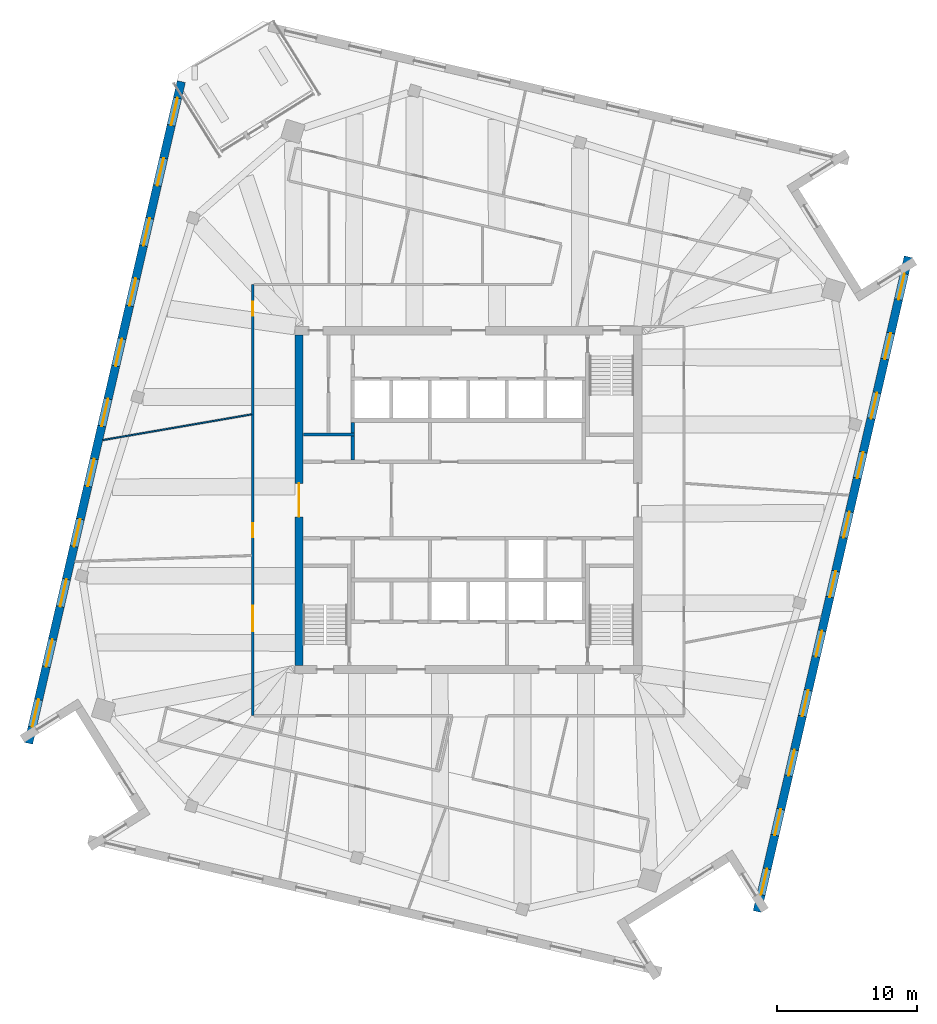
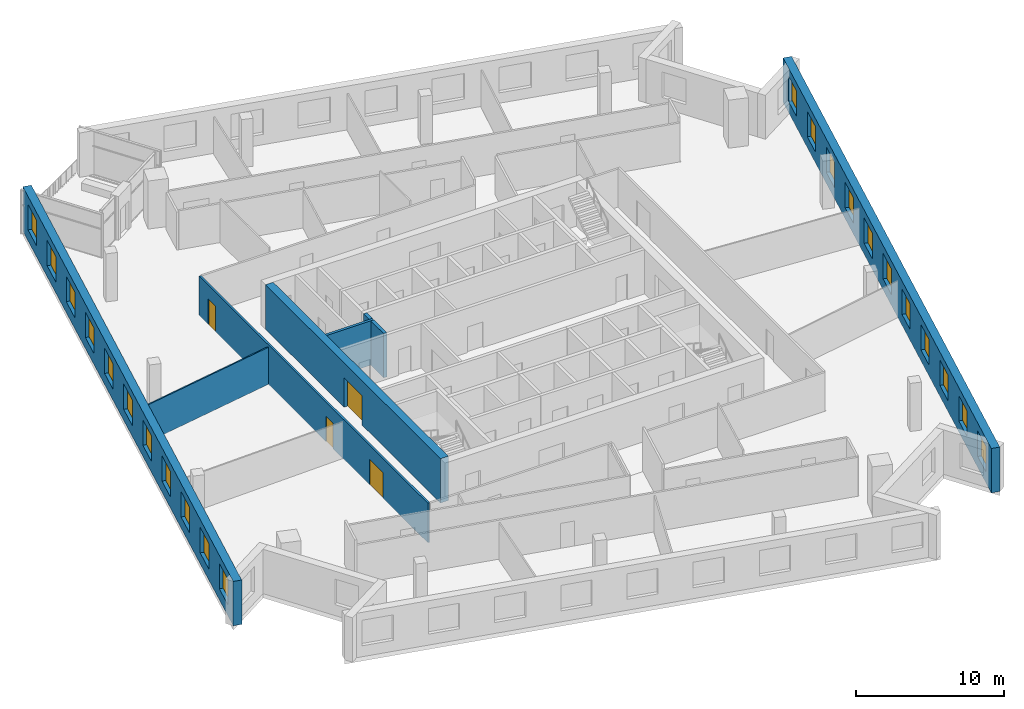
# One storey, part 8 of 14: 22 windows, 8 walls, 4 doors, 26 openings.
"""IFC4 building model written with IfcOpenShell, lengths in metres."""

from ifc_helpers import new_model, si_unit, direction, frame, frame_2d, origin, place, context, subcontext, project, spatial, rectangle, extrude, material, layer, layer_set, type_object, element, fill, save


model = new_model("IFC4")

# Units and contexts
model_context = context("Model", 3, precision=1e-05, world=origin(), true_north=direction((0.0, 1.0)))
body_context = subcontext(model_context, "Body", "Model", "MODEL_VIEW")
ifc_project = project(units=[si_unit("LENGTHUNIT", "METRE"), si_unit("AREAUNIT", "SQUARE_METRE"), si_unit("VOLUMEUNIT", "CUBIC_METRE"), si_unit("PLANEANGLEUNIT", "RADIAN"), si_unit("MASSUNIT", "GRAM", prefix="KILO")], contexts=[model_context])

# Site, building, storey
site_placement = place(None, origin())
site = spatial("IfcSite", under=ifc_project, at=site_placement, CompositionType="ELEMENT")
building_placement = place(site_placement, origin())
building = spatial("IfcBuilding", under=site, at=building_placement, Name="Dilmun Exchange Tower", CompositionType="ELEMENT")
storey_placement = place(building_placement, frame((0.0, 0.0, 336.5)))
storey = spatial("IfcBuildingStorey", under=building, at=storey_placement, Name="L80", CompositionType="ELEMENT", Elevation=336.5)

# Walls
ifc_material_1 = material(Name="Concrete C40/50", Category="concrete")
ifc_layer_1 = layer(ifc_material_1, 0.199951171875)
ifc_layer_set_1 = layer_set([ifc_layer_1], Name="Concrete C40/50")
wall_type_1 = type_object("IfcWallType", Name="Core partition wall 200", PredefinedType="PARTITIONING", material=ifc_layer_set_1)
wall_1_placement = place(storey_placement, frame((-11.794921875, 4.675048828125, 0.0), z_axis=(0.0, 0.0, 1.0), x_axis=(1.0, 0.0, 0.0)))
element("IfcWall", 1, at=wall_1_placement, inside=storey, type_object=wall_type_1, Name="L80 core partition wall 16", PredefinedType="PARTITIONING", context=body_context, shape_type="SweptSolid", body=[
    extrude(rectangle(XDim=3.64501953125, YDim=0.199951171875, at=frame_2d((1.822509765625, 0.0))), origin(), (0.0, 0.0, 1.0), 3.64990234375),
])
ifc_layer_2 = layer(ifc_material_1, 0.25)
ifc_layer_set_2 = layer_set([ifc_layer_2], Name="Concrete C40/50")
wall_type_2 = type_object("IfcWallType", Name="Core partition wall 250", PredefinedType="PARTITIONING", material=ifc_layer_set_2)
wall_2_placement = place(storey_placement, frame((-8.25, 2.85498046875, 0.0), z_axis=(0.0, 0.0, 1.0), x_axis=(0.0, 1.0, 0.0)))
element("IfcWall", 2, at=wall_2_placement, inside=storey, type_object=wall_type_2, Name="L80 core partition wall 13", PredefinedType="PARTITIONING", context=body_context, shape_type="SweptSolid", body=[
    extrude(rectangle(XDim=1.715087890625, YDim=0.25, at=frame_2d((0.857421875, 0.0))), origin(), (0.0, 0.0, 1.0), 3.64990234375),
])
wall_3_placement = place(storey_placement, frame((-8.25, 4.780029296875, 0.0), z_axis=(0.0, 0.0, 1.0), x_axis=(0.0, 1.0, 0.0)))
element("IfcWall", 3, at=wall_3_placement, inside=storey, type_object=wall_type_2, Name="L80 core partition wall 18", PredefinedType="PARTITIONING", context=body_context, shape_type="SweptSolid", body=[
    extrude(rectangle(XDim=0.764892578125, YDim=0.25, at=frame_2d((0.38232421875, 0.0))), origin(), (0.0, 0.0, 1.0), 3.64990234375),
])

# Wall, opening, door
ifc_material_2 = material(Name="Concrete C50/60", Category="concrete")
ifc_layer_3 = layer(ifc_material_2, 0.60009765625)
ifc_layer_set_3 = layer_set([ifc_layer_3], Name="Concrete C50/60")
wall_type_3 = type_object("IfcWallType", Name="Core shear wall 600 Concrete C50/60", PredefinedType="SHEAR", material=ifc_layer_set_3)
wall_4_placement = place(storey_placement, frame((-12.10009765625, -11.800048828125, 0.0), z_axis=(0.0, 0.0, 1.0), x_axis=(0.0, 1.0, 0.0)))
wall_4 = element("IfcWall", 4, at=wall_4_placement, inside=storey, type_object=wall_type_3, Name="L80 core shear wall W", PredefinedType="SHEAR", context=body_context, shape_type="SweptSolid", body=[
    extrude(rectangle(XDim=23.60009765625, YDim=0.60009765625, at=frame_2d((11.800048828125, 0.0))), origin(), (0.0, 0.0, 1.0), 3.64990234375),
])
opening_1_placement = place(wall_4_placement, frame((10.60009765625, 0.0, 0.0)))
opening_1 = element("IfcOpeningElement", 5, at=opening_1_placement, cuts=wall_4, Name="Opening CD1", PredefinedType="OPENING", context=body_context, shape_type="SweptSolid", body=[
    extrude(rectangle(XDim=2.39990234375, YDim=2.39990234375, at=frame_2d((1.199951171875, 1.199951171875))), frame((0.0, 0.31005859375, 0.0), z_axis=(0.0, -1.0, 0.0), x_axis=(1.0, 0.0, 0.0)), (0.0, 0.0, 1.0), 0.6201171875),
])
ifc_material_3 = material(Name="Fire-rated steel door set", Category="steel")
door_type_1 = type_object("IfcDoorType", Name="Core lobby door 2400x2400", OperationType="DOUBLE_DOOR_DOUBLE_SWING", PredefinedType="DOOR", material=ifc_material_3)
door_1_placement = place(opening_1_placement, origin())
door_1 = element("IfcDoor", 6, at=door_1_placement, inside=storey, type_object=door_type_1, Name="L80 door Central lift lobby", OperationType="SINGLE_SWING_LEFT", OverallHeight=2.39990234375, OverallWidth=2.39990234375, PredefinedType="DOOR", context=body_context, shape_type="SweptSolid", body=[
    extrude(rectangle(XDim=2.39990234375, YDim=2.39990234375, at=frame_2d((1.199951171875, 1.199951171875))), frame((0.0, 0.02490234375, 0.0), z_axis=(0.0, -1.0, 0.0), x_axis=(1.0, 0.0, 0.0)), (0.0, 0.0, 1.0), 0.050048828125),
])
fill(opening_1, door_1)

# Wall, openings, doors
ifc_material_4 = material(Name="Corridor wall 150")
ifc_layer_4 = layer(ifc_material_4, 0.14990234375)
ifc_layer_set_4 = layer_set([ifc_layer_4], Name="Corridor wall 150")
wall_type_4 = type_object("IfcWallType", Name="Corridor wall 150", PredefinedType="PARTITIONING", material=ifc_layer_set_4)
wall_5_placement = place(storey_placement, frame((-15.39990234375, -15.39990234375, 0.0), z_axis=(0.0, 0.0, 1.0), x_axis=(0.0, 1.0, 0.0)))
wall_5 = element("IfcWall", 7, at=wall_5_placement, inside=storey, type_object=wall_type_4, Name="Corridor wall", PredefinedType="PARTITIONING", context=body_context, shape_type="SweptSolid", body=[
    extrude(rectangle(XDim=30.7998046875, YDim=0.14990234375, at=frame_2d((15.39990234375, 0.0))), origin(), (0.0, 0.0, 1.0), 3.25),
])
opening_2_placement = place(wall_5_placement, frame((12.74072265625, 0.0, 0.0)))
opening_2 = element("IfcOpeningElement", 8, at=opening_2_placement, cuts=wall_5, Name="Opening TF79-D01", PredefinedType="OPENING", context=body_context, shape_type="SweptSolid", body=[
    extrude(rectangle(XDim=1.0, YDim=2.10009765625, at=frame_2d((0.5, 1.050048828125))), frame((0.0, 0.0849609375, 0.0), z_axis=(0.0, -1.0, 0.0), x_axis=(1.0, 0.0, 0.0)), (0.0, 0.0, 1.0), 0.169921875),
])
opening_3_placement = place(wall_5_placement, frame((6.050048828125, 0.0, 0.0)))
opening_3 = element("IfcOpeningElement", 9, at=opening_3_placement, cuts=wall_5, Name="Opening TF79-D02", PredefinedType="OPENING", context=body_context, shape_type="SweptSolid", body=[
    extrude(rectangle(XDim=1.800048828125, YDim=2.10009765625, at=frame_2d((0.89990234375, 1.050048828125))), frame((0.0, 0.0849609375, 0.0), z_axis=(0.0, -1.0, 0.0), x_axis=(1.0, 0.0, 0.0)), (0.0, 0.0, 1.0), 0.169921875),
])
opening_4_placement = place(wall_5_placement, frame((28.576904296875, 0.0, 0.0)))
opening_4 = element("IfcOpeningElement", 10, at=opening_4_placement, cuts=wall_5, Name="Opening TF79-D05", PredefinedType="OPENING", context=body_context, shape_type="SweptSolid", body=[
    extrude(rectangle(XDim=1.0, YDim=2.10009765625, at=frame_2d((0.5, 1.050048828125))), frame((0.0, 0.0849609375, 0.0), z_axis=(0.0, -1.0, 0.0), x_axis=(1.0, 0.0, 0.0)), (0.0, 0.0, 1.0), 0.169921875),
])
ifc_material_5 = material(Name="Fire door 1000 x 2100")
door_type_2 = type_object("IfcDoorType", Name="Fire door 1000 x 2100", OperationType="NOTDEFINED", PredefinedType="DOOR", material=ifc_material_5)
door_2_placement = place(opening_2_placement, origin())
door_2 = element("IfcDoor", 11, at=door_2_placement, inside=storey, type_object=door_type_2, Name="Door TF79-D01", OperationType="SINGLE_SWING_LEFT", OverallHeight=2.10009765625, OverallWidth=1.0, PredefinedType="DOOR", context=body_context, shape_type="SweptSolid", body=[
    extrude(rectangle(XDim=1.0, YDim=2.10009765625, at=frame_2d((0.5, 1.050048828125))), frame((0.0, 0.02490234375, 0.0), z_axis=(0.0, -1.0, 0.0), x_axis=(1.0, 0.0, 0.0)), (0.0, 0.0, 1.0), 0.050048828125),
])
fill(opening_2, door_2)
door_3_placement = place(opening_4_placement, origin())
door_3 = element("IfcDoor", 12, at=door_3_placement, inside=storey, type_object=door_type_2, Name="Door TF79-D05", OperationType="SINGLE_SWING_RIGHT", OverallHeight=2.10009765625, OverallWidth=1.0, PredefinedType="DOOR", context=body_context, shape_type="SweptSolid", body=[
    extrude(rectangle(XDim=1.0, YDim=2.10009765625, at=frame_2d((0.5, 1.050048828125))), frame((0.0, 0.02490234375, 0.0), z_axis=(0.0, -1.0, 0.0), x_axis=(1.0, 0.0, 0.0)), (0.0, 0.0, 1.0), 0.050048828125),
])
fill(opening_4, door_3)
ifc_material_6 = material(Name="Fire door pair 1800 x 2100")
door_type_3 = type_object("IfcDoorType", Name="Fire door pair 1800 x 2100", OperationType="NOTDEFINED", PredefinedType="DOOR", material=ifc_material_6)
door_4_placement = place(opening_3_placement, origin())
door_4 = element("IfcDoor", 13, at=door_4_placement, inside=storey, type_object=door_type_3, Name="Door TF79-D02", OperationType="DOUBLE_DOOR_SINGLE_SWING", OverallHeight=2.10009765625, OverallWidth=1.800048828125, PredefinedType="DOOR", context=body_context, shape_type="SweptSolid", body=[
    extrude(rectangle(XDim=1.800048828125, YDim=2.10009765625, at=frame_2d((0.89990234375, 1.050048828125))), frame((0.0, 0.02490234375, 0.0), z_axis=(0.0, -1.0, 0.0), x_axis=(1.0, 0.0, 0.0)), (0.0, 0.0, 1.0), 0.050048828125),
])
fill(opening_3, door_4)

# Wall
ifc_material_7 = material(Name="Partition 100")
ifc_layer_5 = layer(ifc_material_7, 0.10009765625)
ifc_layer_set_5 = layer_set([ifc_layer_5], Name="Partition 100")
wall_type_5 = type_object("IfcWallType", Name="Partition 100", PredefinedType="PARTITIONING", material=ifc_layer_set_5)
wall_6_placement = place(storey_placement, frame((-26.103271484375, 4.2841796875, 0.0), z_axis=(0.0, 0.0, 1.0), x_axis=(0.985391107222, 0.170306681627, 0.0)))
element("IfcWall", 14, at=wall_6_placement, inside=storey, type_object=wall_type_5, Name="Partition", PredefinedType="PARTITIONING", context=body_context, shape_type="SweptSolid", body=[
    extrude(rectangle(XDim=10.77734375, YDim=0.10009765625, at=frame_2d((5.388671875, 0.0))), origin(), (0.0, 0.0, 1.0), 3.050048828125),
])

# Wall, openings, windows
ifc_material_8 = material(Name="Precast concrete C50/60", Category="concrete")
ifc_layer_6 = layer(ifc_material_8, 0.60009765625)
ifc_layer_set_6 = layer_set([ifc_layer_6], Name="Precast concrete C50/60")
wall_type_6 = type_object("IfcWallType", Name="Precast stone-clad wall 600", PredefinedType="STANDARD", material=ifc_layer_set_6)
wall_7_placement = place(storey_placement, frame((-20.50439453125, 29.87841796875, 0.0), z_axis=(0.0, 0.0, 1.0), x_axis=(-0.224949596638, -0.974370401322, 0.0)))
wall_7 = element("IfcWall", 15, at=wall_7_placement, inside=storey, type_object=wall_type_6, Name="Facade wall L80-03", PredefinedType="STANDARD", context=body_context, shape_type="SweptSolid", body=[
    extrude(rectangle(XDim=48.489501953125, YDim=0.60009765625, at=frame_2d((24.24462890625, 0.0))), origin(), (0.0, 0.0, 1.0), 3.64990234375),
])
opening_5_placement = place(wall_7_placement, frame((1.2041015625, 0.0, 0.89990234375)))
opening_5 = element("IfcOpeningElement", 16, at=opening_5_placement, cuts=wall_7, Name="Opening W200-210", PredefinedType="OPENING", context=body_context, shape_type="SweptSolid", body=[
    extrude(rectangle(XDim=2.0, YDim=2.10009765625, at=frame_2d((1.0, 1.050048828125))), frame((0.0, 0.31005859375, 0.0), z_axis=(0.0, -1.0, 0.0), x_axis=(1.0, 0.0, 0.0)), (0.0, 0.0, 1.0), 0.6201171875),
])
opening_6_placement = place(wall_7_placement, frame((5.6123046875, 0.0, 0.89990234375)))
opening_6 = element("IfcOpeningElement", 17, at=opening_6_placement, cuts=wall_7, Name="Opening W200-210", PredefinedType="OPENING", context=body_context, shape_type="SweptSolid", body=[
    extrude(rectangle(XDim=2.0, YDim=2.10009765625, at=frame_2d((1.0, 1.050048828125))), frame((0.0, 0.31005859375, 0.0), z_axis=(0.0, -1.0, 0.0), x_axis=(1.0, 0.0, 0.0)), (0.0, 0.0, 1.0), 0.6201171875),
])
opening_7_placement = place(wall_7_placement, frame((10.0205078125, 0.0, 0.89990234375)))
opening_7 = element("IfcOpeningElement", 18, at=opening_7_placement, cuts=wall_7, Name="Opening W200-210", PredefinedType="OPENING", context=body_context, shape_type="SweptSolid", body=[
    extrude(rectangle(XDim=2.0, YDim=2.10009765625, at=frame_2d((1.0, 1.050048828125))), frame((0.0, 0.31005859375, 0.0), z_axis=(0.0, -1.0, 0.0), x_axis=(1.0, 0.0, 0.0)), (0.0, 0.0, 1.0), 0.6201171875),
])
opening_8_placement = place(wall_7_placement, frame((14.428466796875, 0.0, 0.89990234375)))
opening_8 = element("IfcOpeningElement", 19, at=opening_8_placement, cuts=wall_7, Name="Opening W200-210", PredefinedType="OPENING", context=body_context, shape_type="SweptSolid", body=[
    extrude(rectangle(XDim=2.0, YDim=2.10009765625, at=frame_2d((1.0, 1.050048828125))), frame((0.0, 0.31005859375, 0.0), z_axis=(0.0, -1.0, 0.0), x_axis=(1.0, 0.0, 0.0)), (0.0, 0.0, 1.0), 0.6201171875),
])
opening_9_placement = place(wall_7_placement, frame((18.836669921875, 0.0, 0.89990234375)))
opening_9 = element("IfcOpeningElement", 20, at=opening_9_placement, cuts=wall_7, Name="Opening W200-210", PredefinedType="OPENING", context=body_context, shape_type="SweptSolid", body=[
    extrude(rectangle(XDim=2.0, YDim=2.10009765625, at=frame_2d((1.0, 1.050048828125))), frame((0.0, 0.31005859375, 0.0), z_axis=(0.0, -1.0, 0.0), x_axis=(1.0, 0.0, 0.0)), (0.0, 0.0, 1.0), 0.6201171875),
])
opening_10_placement = place(wall_7_placement, frame((23.244873046875, 0.0, 0.89990234375)))
opening_10 = element("IfcOpeningElement", 21, at=opening_10_placement, cuts=wall_7, Name="Opening W200-210", PredefinedType="OPENING", context=body_context, shape_type="SweptSolid", body=[
    extrude(rectangle(XDim=2.0, YDim=2.10009765625, at=frame_2d((1.0, 1.050048828125))), frame((0.0, 0.31005859375, 0.0), z_axis=(0.0, -1.0, 0.0), x_axis=(1.0, 0.0, 0.0)), (0.0, 0.0, 1.0), 0.6201171875),
])
opening_11_placement = place(wall_7_placement, frame((27.65283203125, 0.0, 0.89990234375)))
opening_11 = element("IfcOpeningElement", 22, at=opening_11_placement, cuts=wall_7, Name="Opening W200-210", PredefinedType="OPENING", context=body_context, shape_type="SweptSolid", body=[
    extrude(rectangle(XDim=2.0, YDim=2.10009765625, at=frame_2d((1.0, 1.050048828125))), frame((0.0, 0.31005859375, 0.0), z_axis=(0.0, -1.0, 0.0), x_axis=(1.0, 0.0, 0.0)), (0.0, 0.0, 1.0), 0.6201171875),
])
opening_12_placement = place(wall_7_placement, frame((32.06103515625, 0.0, 0.89990234375)))
opening_12 = element("IfcOpeningElement", 23, at=opening_12_placement, cuts=wall_7, Name="Opening W200-210", PredefinedType="OPENING", context=body_context, shape_type="SweptSolid", body=[
    extrude(rectangle(XDim=2.0, YDim=2.10009765625, at=frame_2d((1.0, 1.050048828125))), frame((0.0, 0.31005859375, 0.0), z_axis=(0.0, -1.0, 0.0), x_axis=(1.0, 0.0, 0.0)), (0.0, 0.0, 1.0), 0.6201171875),
])
opening_13_placement = place(wall_7_placement, frame((36.46923828125, 0.0, 0.89990234375)))
opening_13 = element("IfcOpeningElement", 24, at=opening_13_placement, cuts=wall_7, Name="Opening W200-210", PredefinedType="OPENING", context=body_context, shape_type="SweptSolid", body=[
    extrude(rectangle(XDim=2.0, YDim=2.10009765625, at=frame_2d((1.0, 1.050048828125))), frame((0.0, 0.31005859375, 0.0), z_axis=(0.0, -1.0, 0.0), x_axis=(1.0, 0.0, 0.0)), (0.0, 0.0, 1.0), 0.6201171875),
])
opening_14_placement = place(wall_7_placement, frame((40.87744140625, 0.0, 0.89990234375)))
opening_14 = element("IfcOpeningElement", 25, at=opening_14_placement, cuts=wall_7, Name="Opening W200-210", PredefinedType="OPENING", context=body_context, shape_type="SweptSolid", body=[
    extrude(rectangle(XDim=2.0, YDim=2.10009765625, at=frame_2d((1.0, 1.050048828125))), frame((0.0, 0.31005859375, 0.0), z_axis=(0.0, -1.0, 0.0), x_axis=(1.0, 0.0, 0.0)), (0.0, 0.0, 1.0), 0.6201171875),
])
opening_15_placement = place(wall_7_placement, frame((45.285400390625, 0.0, 0.89990234375)))
opening_15 = element("IfcOpeningElement", 26, at=opening_15_placement, cuts=wall_7, Name="Opening W200-210", PredefinedType="OPENING", context=body_context, shape_type="SweptSolid", body=[
    extrude(rectangle(XDim=2.0, YDim=2.10009765625, at=frame_2d((1.0, 1.050048828125))), frame((0.0, 0.31005859375, 0.0), z_axis=(0.0, -1.0, 0.0), x_axis=(1.0, 0.0, 0.0)), (0.0, 0.0, 1.0), 0.6201171875),
])
ifc_material_9 = material(Name="Clear low-emissivity glass in aluminium frame", Category="aluminium")
window_type_1 = type_object("IfcWindowType", Name="Punched window 2000 x 2100", PartitioningType="DOUBLE_PANEL_VERTICAL", PredefinedType="WINDOW", material=ifc_material_9)
window_1_placement = place(opening_5_placement, origin())
window_1 = element("IfcWindow", 27, at=window_1_placement, inside=storey, type_object=window_type_1, Name="Window 4.1", OverallHeight=2.10009765625, OverallWidth=2.0, PartitioningType="SINGLE_PANEL", PredefinedType="WINDOW", context=body_context, shape_type="SweptSolid", body=[
    extrude(rectangle(XDim=2.0, YDim=2.10009765625, at=frame_2d((1.0, 1.050048828125))), frame((0.0, 0.030029296875, 0.0), z_axis=(0.0, -1.0, 0.0), x_axis=(1.0, 0.0, 0.0)), (0.0, 0.0, 1.0), 0.06005859375),
])
fill(opening_5, window_1)
window_2_placement = place(opening_6_placement, origin())
window_2 = element("IfcWindow", 28, at=window_2_placement, inside=storey, type_object=window_type_1, Name="Window 4.2", OverallHeight=2.10009765625, OverallWidth=2.0, PartitioningType="SINGLE_PANEL", PredefinedType="WINDOW", context=body_context, shape_type="SweptSolid", body=[
    extrude(rectangle(XDim=2.0, YDim=2.10009765625, at=frame_2d((1.0, 1.050048828125))), frame((0.0, 0.030029296875, 0.0), z_axis=(0.0, -1.0, 0.0), x_axis=(1.0, 0.0, 0.0)), (0.0, 0.0, 1.0), 0.06005859375),
])
fill(opening_6, window_2)
window_3_placement = place(opening_7_placement, origin())
window_3 = element("IfcWindow", 29, at=window_3_placement, inside=storey, type_object=window_type_1, Name="Window 4.3", OverallHeight=2.10009765625, OverallWidth=2.0, PartitioningType="SINGLE_PANEL", PredefinedType="WINDOW", context=body_context, shape_type="SweptSolid", body=[
    extrude(rectangle(XDim=2.0, YDim=2.10009765625, at=frame_2d((1.0, 1.050048828125))), frame((0.0, 0.030029296875, 0.0), z_axis=(0.0, -1.0, 0.0), x_axis=(1.0, 0.0, 0.0)), (0.0, 0.0, 1.0), 0.06005859375),
])
fill(opening_7, window_3)
window_4_placement = place(opening_8_placement, origin())
window_4 = element("IfcWindow", 30, at=window_4_placement, inside=storey, type_object=window_type_1, Name="Window 4.4", OverallHeight=2.10009765625, OverallWidth=2.0, PartitioningType="SINGLE_PANEL", PredefinedType="WINDOW", context=body_context, shape_type="SweptSolid", body=[
    extrude(rectangle(XDim=2.0, YDim=2.10009765625, at=frame_2d((1.0, 1.050048828125))), frame((0.0, 0.030029296875, 0.0), z_axis=(0.0, -1.0, 0.0), x_axis=(1.0, 0.0, 0.0)), (0.0, 0.0, 1.0), 0.06005859375),
])
fill(opening_8, window_4)
window_5_placement = place(opening_9_placement, origin())
window_5 = element("IfcWindow", 31, at=window_5_placement, inside=storey, type_object=window_type_1, Name="Window 4.5", OverallHeight=2.10009765625, OverallWidth=2.0, PartitioningType="SINGLE_PANEL", PredefinedType="WINDOW", context=body_context, shape_type="SweptSolid", body=[
    extrude(rectangle(XDim=2.0, YDim=2.10009765625, at=frame_2d((1.0, 1.050048828125))), frame((0.0, 0.030029296875, 0.0), z_axis=(0.0, -1.0, 0.0), x_axis=(1.0, 0.0, 0.0)), (0.0, 0.0, 1.0), 0.06005859375),
])
fill(opening_9, window_5)
window_6_placement = place(opening_10_placement, origin())
window_6 = element("IfcWindow", 32, at=window_6_placement, inside=storey, type_object=window_type_1, Name="Window 4.6", OverallHeight=2.10009765625, OverallWidth=2.0, PartitioningType="SINGLE_PANEL", PredefinedType="WINDOW", context=body_context, shape_type="SweptSolid", body=[
    extrude(rectangle(XDim=2.0, YDim=2.10009765625, at=frame_2d((1.0, 1.050048828125))), frame((0.0, 0.030029296875, 0.0), z_axis=(0.0, -1.0, 0.0), x_axis=(1.0, 0.0, 0.0)), (0.0, 0.0, 1.0), 0.06005859375),
])
fill(opening_10, window_6)
window_7_placement = place(opening_11_placement, origin())
window_7 = element("IfcWindow", 33, at=window_7_placement, inside=storey, type_object=window_type_1, Name="Window 4.7", OverallHeight=2.10009765625, OverallWidth=2.0, PartitioningType="SINGLE_PANEL", PredefinedType="WINDOW", context=body_context, shape_type="SweptSolid", body=[
    extrude(rectangle(XDim=2.0, YDim=2.10009765625, at=frame_2d((1.0, 1.050048828125))), frame((0.0, 0.030029296875, 0.0), z_axis=(0.0, -1.0, 0.0), x_axis=(1.0, 0.0, 0.0)), (0.0, 0.0, 1.0), 0.06005859375),
])
fill(opening_11, window_7)
window_8_placement = place(opening_12_placement, origin())
window_8 = element("IfcWindow", 34, at=window_8_placement, inside=storey, type_object=window_type_1, Name="Window 4.8", OverallHeight=2.10009765625, OverallWidth=2.0, PartitioningType="SINGLE_PANEL", PredefinedType="WINDOW", context=body_context, shape_type="SweptSolid", body=[
    extrude(rectangle(XDim=2.0, YDim=2.10009765625, at=frame_2d((1.0, 1.050048828125))), frame((0.0, 0.030029296875, 0.0), z_axis=(0.0, -1.0, 0.0), x_axis=(1.0, 0.0, 0.0)), (0.0, 0.0, 1.0), 0.06005859375),
])
fill(opening_12, window_8)
window_9_placement = place(opening_13_placement, origin())
window_9 = element("IfcWindow", 35, at=window_9_placement, inside=storey, type_object=window_type_1, Name="Window 4.9", OverallHeight=2.10009765625, OverallWidth=2.0, PartitioningType="SINGLE_PANEL", PredefinedType="WINDOW", context=body_context, shape_type="SweptSolid", body=[
    extrude(rectangle(XDim=2.0, YDim=2.10009765625, at=frame_2d((1.0, 1.050048828125))), frame((0.0, 0.030029296875, 0.0), z_axis=(0.0, -1.0, 0.0), x_axis=(1.0, 0.0, 0.0)), (0.0, 0.0, 1.0), 0.06005859375),
])
fill(opening_13, window_9)
window_10_placement = place(opening_14_placement, origin())
window_10 = element("IfcWindow", 36, at=window_10_placement, inside=storey, type_object=window_type_1, Name="Window 4.10", OverallHeight=2.10009765625, OverallWidth=2.0, PartitioningType="SINGLE_PANEL", PredefinedType="WINDOW", context=body_context, shape_type="SweptSolid", body=[
    extrude(rectangle(XDim=2.0, YDim=2.10009765625, at=frame_2d((1.0, 1.050048828125))), frame((0.0, 0.030029296875, 0.0), z_axis=(0.0, -1.0, 0.0), x_axis=(1.0, 0.0, 0.0)), (0.0, 0.0, 1.0), 0.06005859375),
])
fill(opening_14, window_10)
window_11_placement = place(opening_15_placement, origin())
window_11 = element("IfcWindow", 37, at=window_11_placement, inside=storey, type_object=window_type_1, Name="Window 4.11", OverallHeight=2.10009765625, OverallWidth=2.0, PartitioningType="SINGLE_PANEL", PredefinedType="WINDOW", context=body_context, shape_type="SweptSolid", body=[
    extrude(rectangle(XDim=2.0, YDim=2.10009765625, at=frame_2d((1.0, 1.050048828125))), frame((0.0, 0.030029296875, 0.0), z_axis=(0.0, -1.0, 0.0), x_axis=(1.0, 0.0, 0.0)), (0.0, 0.0, 1.0), 0.06005859375),
])
fill(opening_15, window_11)

wall_8_placement = place(storey_placement, frame((20.619140625, -29.380859375, 0.0), z_axis=(0.0, 0.0, 1.0), x_axis=(0.224952041908, 0.974369836788, 0.0)))
wall_8 = element("IfcWall", 38, at=wall_8_placement, inside=storey, type_object=wall_type_6, Name="Facade wall L80-11", PredefinedType="STANDARD", context=body_context, shape_type="SweptSolid", body=[
    extrude(rectangle(XDim=47.97900390625, YDim=0.60009765625, at=frame_2d((23.989501953125, 0.0))), origin(), (0.0, 0.0, 1.0), 3.64990234375),
])
opening_16_placement = place(wall_8_placement, frame((1.23095703125, 0.0, 0.89990234375)))
opening_16 = element("IfcOpeningElement", 39, at=opening_16_placement, cuts=wall_8, Name="Opening W190-210", PredefinedType="OPENING", context=body_context, shape_type="SweptSolid", body=[
    extrude(rectangle(XDim=1.89990234375, YDim=2.10009765625, at=frame_2d((0.949951171875, 1.050048828125))), frame((0.0, 0.31005859375, 0.0), z_axis=(0.0, -1.0, 0.0), x_axis=(1.0, 0.0, 0.0)), (0.0, 0.0, 1.0), 0.6201171875),
])
opening_17_placement = place(wall_8_placement, frame((5.592529296875, 0.0, 0.89990234375)))
opening_17 = element("IfcOpeningElement", 40, at=opening_17_placement, cuts=wall_8, Name="Opening W190-210", PredefinedType="OPENING", context=body_context, shape_type="SweptSolid", body=[
    extrude(rectangle(XDim=1.89990234375, YDim=2.10009765625, at=frame_2d((0.949951171875, 1.050048828125))), frame((0.0, 0.31005859375, 0.0), z_axis=(0.0, -1.0, 0.0), x_axis=(1.0, 0.0, 0.0)), (0.0, 0.0, 1.0), 0.6201171875),
])
opening_18_placement = place(wall_8_placement, frame((9.954345703125, 0.0, 0.89990234375)))
opening_18 = element("IfcOpeningElement", 41, at=opening_18_placement, cuts=wall_8, Name="Opening W190-210", PredefinedType="OPENING", context=body_context, shape_type="SweptSolid", body=[
    extrude(rectangle(XDim=1.89990234375, YDim=2.10009765625, at=frame_2d((0.949951171875, 1.050048828125))), frame((0.0, 0.31005859375, 0.0), z_axis=(0.0, -1.0, 0.0), x_axis=(1.0, 0.0, 0.0)), (0.0, 0.0, 1.0), 0.6201171875),
])
opening_19_placement = place(wall_8_placement, frame((14.316162109375, 0.0, 0.89990234375)))
opening_19 = element("IfcOpeningElement", 42, at=opening_19_placement, cuts=wall_8, Name="Opening W190-210", PredefinedType="OPENING", context=body_context, shape_type="SweptSolid", body=[
    extrude(rectangle(XDim=1.89990234375, YDim=2.10009765625, at=frame_2d((0.949951171875, 1.050048828125))), frame((0.0, 0.31005859375, 0.0), z_axis=(0.0, -1.0, 0.0), x_axis=(1.0, 0.0, 0.0)), (0.0, 0.0, 1.0), 0.6201171875),
])
opening_20_placement = place(wall_8_placement, frame((18.677734375, 0.0, 0.89990234375)))
opening_20 = element("IfcOpeningElement", 43, at=opening_20_placement, cuts=wall_8, Name="Opening W190-210", PredefinedType="OPENING", context=body_context, shape_type="SweptSolid", body=[
    extrude(rectangle(XDim=1.89990234375, YDim=2.10009765625, at=frame_2d((0.949951171875, 1.050048828125))), frame((0.0, 0.31005859375, 0.0), z_axis=(0.0, -1.0, 0.0), x_axis=(1.0, 0.0, 0.0)), (0.0, 0.0, 1.0), 0.6201171875),
])
opening_21_placement = place(wall_8_placement, frame((23.03955078125, 0.0, 0.89990234375)))
opening_21 = element("IfcOpeningElement", 44, at=opening_21_placement, cuts=wall_8, Name="Opening W190-210", PredefinedType="OPENING", context=body_context, shape_type="SweptSolid", body=[
    extrude(rectangle(XDim=1.89990234375, YDim=2.10009765625, at=frame_2d((0.949951171875, 1.050048828125))), frame((0.0, 0.31005859375, 0.0), z_axis=(0.0, -1.0, 0.0), x_axis=(1.0, 0.0, 0.0)), (0.0, 0.0, 1.0), 0.6201171875),
])
opening_22_placement = place(wall_8_placement, frame((27.4013671875, 0.0, 0.89990234375)))
opening_22 = element("IfcOpeningElement", 45, at=opening_22_placement, cuts=wall_8, Name="Opening W190-210", PredefinedType="OPENING", context=body_context, shape_type="SweptSolid", body=[
    extrude(rectangle(XDim=1.89990234375, YDim=2.10009765625, at=frame_2d((0.949951171875, 1.050048828125))), frame((0.0, 0.31005859375, 0.0), z_axis=(0.0, -1.0, 0.0), x_axis=(1.0, 0.0, 0.0)), (0.0, 0.0, 1.0), 0.6201171875),
])
opening_23_placement = place(wall_8_placement, frame((31.76318359375, 0.0, 0.89990234375)))
opening_23 = element("IfcOpeningElement", 46, at=opening_23_placement, cuts=wall_8, Name="Opening W190-210", PredefinedType="OPENING", context=body_context, shape_type="SweptSolid", body=[
    extrude(rectangle(XDim=1.89990234375, YDim=2.10009765625, at=frame_2d((0.949951171875, 1.050048828125))), frame((0.0, 0.31005859375, 0.0), z_axis=(0.0, -1.0, 0.0), x_axis=(1.0, 0.0, 0.0)), (0.0, 0.0, 1.0), 0.6201171875),
])
opening_24_placement = place(wall_8_placement, frame((36.124755859375, 0.0, 0.89990234375)))
opening_24 = element("IfcOpeningElement", 47, at=opening_24_placement, cuts=wall_8, Name="Opening W190-210", PredefinedType="OPENING", context=body_context, shape_type="SweptSolid", body=[
    extrude(rectangle(XDim=1.89990234375, YDim=2.10009765625, at=frame_2d((0.949951171875, 1.050048828125))), frame((0.0, 0.31005859375, 0.0), z_axis=(0.0, -1.0, 0.0), x_axis=(1.0, 0.0, 0.0)), (0.0, 0.0, 1.0), 0.6201171875),
])
opening_25_placement = place(wall_8_placement, frame((40.486572265625, 0.0, 0.89990234375)))
opening_25 = element("IfcOpeningElement", 48, at=opening_25_placement, cuts=wall_8, Name="Opening W190-210", PredefinedType="OPENING", context=body_context, shape_type="SweptSolid", body=[
    extrude(rectangle(XDim=1.89990234375, YDim=2.10009765625, at=frame_2d((0.949951171875, 1.050048828125))), frame((0.0, 0.31005859375, 0.0), z_axis=(0.0, -1.0, 0.0), x_axis=(1.0, 0.0, 0.0)), (0.0, 0.0, 1.0), 0.6201171875),
])
opening_26_placement = place(wall_8_placement, frame((44.848388671875, 0.0, 0.89990234375)))
opening_26 = element("IfcOpeningElement", 49, at=opening_26_placement, cuts=wall_8, Name="Opening W190-210", PredefinedType="OPENING", context=body_context, shape_type="SweptSolid", body=[
    extrude(rectangle(XDim=1.89990234375, YDim=2.10009765625, at=frame_2d((0.949951171875, 1.050048828125))), frame((0.0, 0.31005859375, 0.0), z_axis=(0.0, -1.0, 0.0), x_axis=(1.0, 0.0, 0.0)), (0.0, 0.0, 1.0), 0.6201171875),
])
window_type_2 = type_object("IfcWindowType", Name="Punched window 1900 x 2100", PartitioningType="DOUBLE_PANEL_VERTICAL", PredefinedType="WINDOW", material=ifc_material_9)
window_12_placement = place(opening_16_placement, origin())
window_12 = element("IfcWindow", 50, at=window_12_placement, inside=storey, type_object=window_type_2, Name="Window 12.1", OverallHeight=2.10009765625, OverallWidth=1.89990234375, PartitioningType="SINGLE_PANEL", PredefinedType="WINDOW", context=body_context, shape_type="SweptSolid", body=[
    extrude(rectangle(XDim=1.89990234375, YDim=2.10009765625, at=frame_2d((0.949951171875, 1.050048828125))), frame((0.0, 0.030029296875, 0.0), z_axis=(0.0, -1.0, 0.0), x_axis=(1.0, 0.0, 0.0)), (0.0, 0.0, 1.0), 0.06005859375),
])
fill(opening_16, window_12)
window_13_placement = place(opening_17_placement, origin())
window_13 = element("IfcWindow", 51, at=window_13_placement, inside=storey, type_object=window_type_2, Name="Window 12.2", OverallHeight=2.10009765625, OverallWidth=1.89990234375, PartitioningType="SINGLE_PANEL", PredefinedType="WINDOW", context=body_context, shape_type="SweptSolid", body=[
    extrude(rectangle(XDim=1.89990234375, YDim=2.10009765625, at=frame_2d((0.949951171875, 1.050048828125))), frame((0.0, 0.030029296875, 0.0), z_axis=(0.0, -1.0, 0.0), x_axis=(1.0, 0.0, 0.0)), (0.0, 0.0, 1.0), 0.06005859375),
])
fill(opening_17, window_13)
window_14_placement = place(opening_18_placement, origin())
window_14 = element("IfcWindow", 52, at=window_14_placement, inside=storey, type_object=window_type_2, Name="Window 12.3", OverallHeight=2.10009765625, OverallWidth=1.89990234375, PartitioningType="SINGLE_PANEL", PredefinedType="WINDOW", context=body_context, shape_type="SweptSolid", body=[
    extrude(rectangle(XDim=1.89990234375, YDim=2.10009765625, at=frame_2d((0.949951171875, 1.050048828125))), frame((0.0, 0.030029296875, 0.0), z_axis=(0.0, -1.0, 0.0), x_axis=(1.0, 0.0, 0.0)), (0.0, 0.0, 1.0), 0.06005859375),
])
fill(opening_18, window_14)
window_15_placement = place(opening_19_placement, origin())
window_15 = element("IfcWindow", 53, at=window_15_placement, inside=storey, type_object=window_type_2, Name="Window 12.4", OverallHeight=2.10009765625, OverallWidth=1.89990234375, PartitioningType="SINGLE_PANEL", PredefinedType="WINDOW", context=body_context, shape_type="SweptSolid", body=[
    extrude(rectangle(XDim=1.89990234375, YDim=2.10009765625, at=frame_2d((0.949951171875, 1.050048828125))), frame((0.0, 0.030029296875, 0.0), z_axis=(0.0, -1.0, 0.0), x_axis=(1.0, 0.0, 0.0)), (0.0, 0.0, 1.0), 0.06005859375),
])
fill(opening_19, window_15)
window_16_placement = place(opening_20_placement, origin())
window_16 = element("IfcWindow", 54, at=window_16_placement, inside=storey, type_object=window_type_2, Name="Window 12.5", OverallHeight=2.10009765625, OverallWidth=1.89990234375, PartitioningType="SINGLE_PANEL", PredefinedType="WINDOW", context=body_context, shape_type="SweptSolid", body=[
    extrude(rectangle(XDim=1.89990234375, YDim=2.10009765625, at=frame_2d((0.949951171875, 1.050048828125))), frame((0.0, 0.030029296875, 0.0), z_axis=(0.0, -1.0, 0.0), x_axis=(1.0, 0.0, 0.0)), (0.0, 0.0, 1.0), 0.06005859375),
])
fill(opening_20, window_16)
window_17_placement = place(opening_21_placement, origin())
window_17 = element("IfcWindow", 55, at=window_17_placement, inside=storey, type_object=window_type_2, Name="Window 12.6", OverallHeight=2.10009765625, OverallWidth=1.89990234375, PartitioningType="SINGLE_PANEL", PredefinedType="WINDOW", context=body_context, shape_type="SweptSolid", body=[
    extrude(rectangle(XDim=1.89990234375, YDim=2.10009765625, at=frame_2d((0.949951171875, 1.050048828125))), frame((0.0, 0.030029296875, 0.0), z_axis=(0.0, -1.0, 0.0), x_axis=(1.0, 0.0, 0.0)), (0.0, 0.0, 1.0), 0.06005859375),
])
fill(opening_21, window_17)
window_18_placement = place(opening_22_placement, origin())
window_18 = element("IfcWindow", 56, at=window_18_placement, inside=storey, type_object=window_type_2, Name="Window 12.7", OverallHeight=2.10009765625, OverallWidth=1.89990234375, PartitioningType="SINGLE_PANEL", PredefinedType="WINDOW", context=body_context, shape_type="SweptSolid", body=[
    extrude(rectangle(XDim=1.89990234375, YDim=2.10009765625, at=frame_2d((0.949951171875, 1.050048828125))), frame((0.0, 0.030029296875, 0.0), z_axis=(0.0, -1.0, 0.0), x_axis=(1.0, 0.0, 0.0)), (0.0, 0.0, 1.0), 0.06005859375),
])
fill(opening_22, window_18)
window_19_placement = place(opening_23_placement, origin())
window_19 = element("IfcWindow", 57, at=window_19_placement, inside=storey, type_object=window_type_2, Name="Window 12.8", OverallHeight=2.10009765625, OverallWidth=1.89990234375, PartitioningType="SINGLE_PANEL", PredefinedType="WINDOW", context=body_context, shape_type="SweptSolid", body=[
    extrude(rectangle(XDim=1.89990234375, YDim=2.10009765625, at=frame_2d((0.949951171875, 1.050048828125))), frame((0.0, 0.030029296875, 0.0), z_axis=(0.0, -1.0, 0.0), x_axis=(1.0, 0.0, 0.0)), (0.0, 0.0, 1.0), 0.06005859375),
])
fill(opening_23, window_19)
window_20_placement = place(opening_24_placement, origin())
window_20 = element("IfcWindow", 58, at=window_20_placement, inside=storey, type_object=window_type_2, Name="Window 12.9", OverallHeight=2.10009765625, OverallWidth=1.89990234375, PartitioningType="SINGLE_PANEL", PredefinedType="WINDOW", context=body_context, shape_type="SweptSolid", body=[
    extrude(rectangle(XDim=1.89990234375, YDim=2.10009765625, at=frame_2d((0.949951171875, 1.050048828125))), frame((0.0, 0.030029296875, 0.0), z_axis=(0.0, -1.0, 0.0), x_axis=(1.0, 0.0, 0.0)), (0.0, 0.0, 1.0), 0.06005859375),
])
fill(opening_24, window_20)
window_21_placement = place(opening_25_placement, origin())
window_21 = element("IfcWindow", 59, at=window_21_placement, inside=storey, type_object=window_type_2, Name="Window 12.10", OverallHeight=2.10009765625, OverallWidth=1.89990234375, PartitioningType="SINGLE_PANEL", PredefinedType="WINDOW", context=body_context, shape_type="SweptSolid", body=[
    extrude(rectangle(XDim=1.89990234375, YDim=2.10009765625, at=frame_2d((0.949951171875, 1.050048828125))), frame((0.0, 0.030029296875, 0.0), z_axis=(0.0, -1.0, 0.0), x_axis=(1.0, 0.0, 0.0)), (0.0, 0.0, 1.0), 0.06005859375),
])
fill(opening_25, window_21)
window_22_placement = place(opening_26_placement, origin())
window_22 = element("IfcWindow", 60, at=window_22_placement, inside=storey, type_object=window_type_2, Name="Window 12.11", OverallHeight=2.10009765625, OverallWidth=1.89990234375, PartitioningType="SINGLE_PANEL", PredefinedType="WINDOW", context=body_context, shape_type="SweptSolid", body=[
    extrude(rectangle(XDim=1.89990234375, YDim=2.10009765625, at=frame_2d((0.949951171875, 1.050048828125))), frame((0.0, 0.030029296875, 0.0), z_axis=(0.0, -1.0, 0.0), x_axis=(1.0, 0.0, 0.0)), (0.0, 0.0, 1.0), 0.06005859375),
])
fill(opening_26, window_22)

save(model, "model.ifc")
